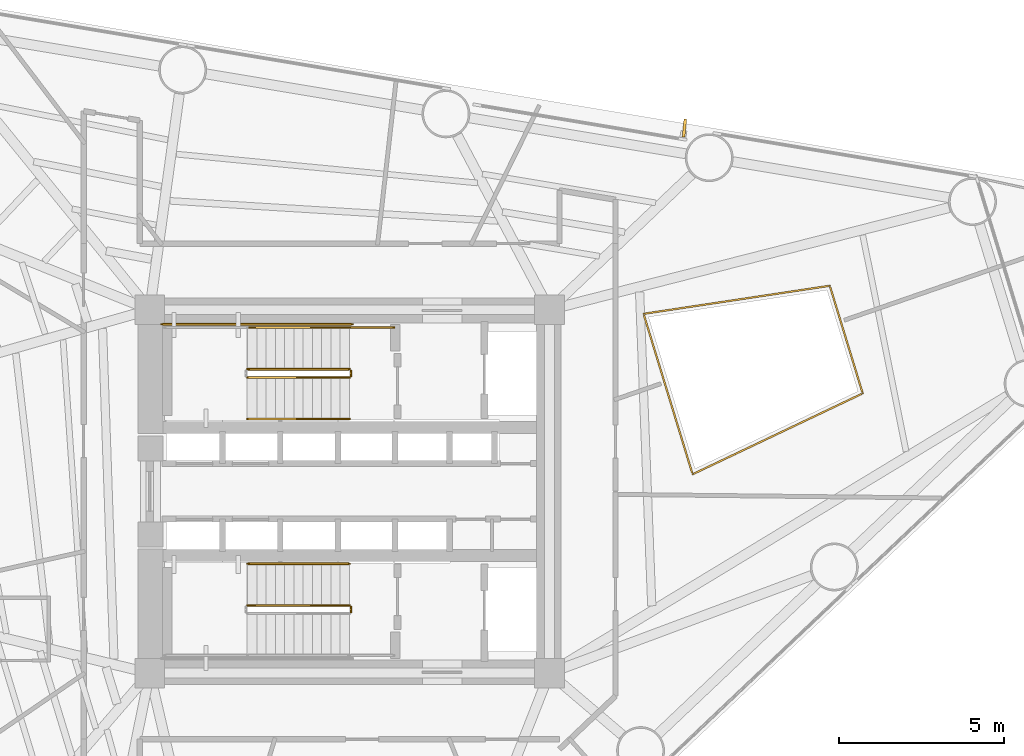
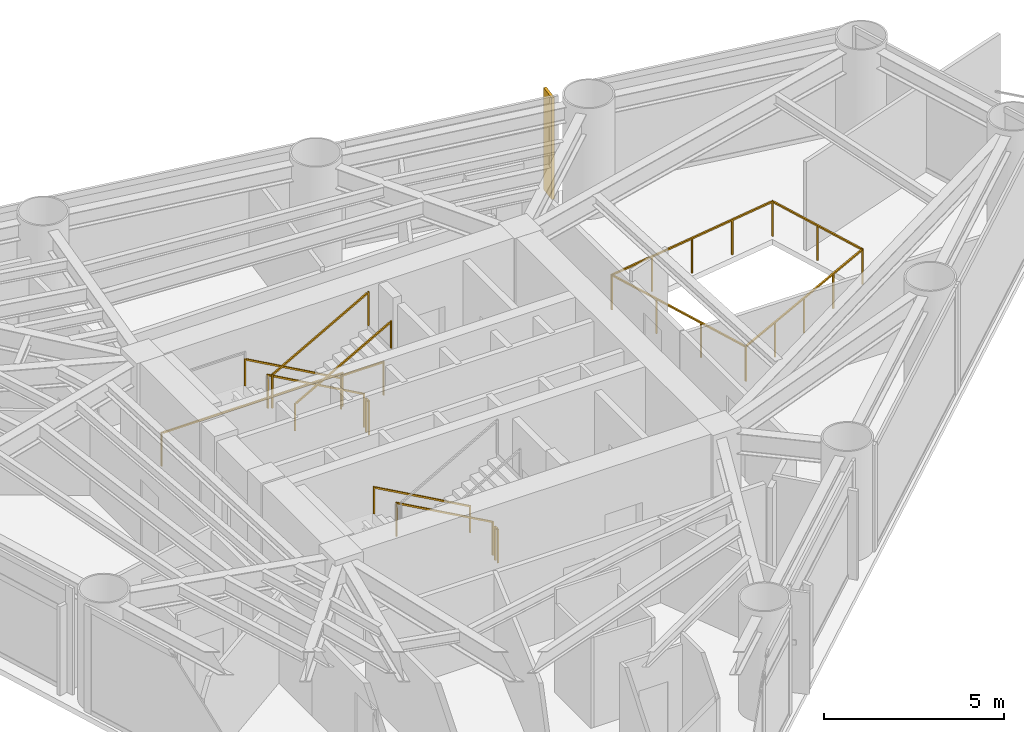
# One storey, part 9 of 10: 11 railings, 1 shading device.
"""IFC4 building model written with IfcOpenShell, lengths in metres."""

from ifc_helpers import new_model, si_unit, direction, frame, origin, origin_2d, place, context, subcontext, project, spatial, rectangle, extrude, source, transform, mapped, material, material_profile, profile_set, type_object, element, save


model = new_model("IFC4")

# Units and contexts
model_context = context("Model", 3, precision=1e-05, world=origin(), true_north=direction((0.0, 1.0)))
body_context = subcontext(model_context, "Body", "Model", "MODEL_VIEW")
ifc_project = project(units=[si_unit("LENGTHUNIT", "METRE"), si_unit("AREAUNIT", "SQUARE_METRE"), si_unit("VOLUMEUNIT", "CUBIC_METRE"), si_unit("PLANEANGLEUNIT", "RADIAN"), si_unit("MASSUNIT", "GRAM", prefix="KILO")], contexts=[model_context])

# Site, building, storey
site_placement = place(None, origin())
site = spatial("IfcSite", under=ifc_project, at=site_placement, CompositionType="ELEMENT")
building_placement = place(site_placement, origin())
building = spatial("IfcBuilding", under=site, at=building_placement, Name="Yunling Apex Tower", CompositionType="ELEMENT")
storey_placement = place(building_placement, frame((0.0, 0.0, 97.39990234375)))
storey = spatial("IfcBuildingStorey", under=building, at=storey_placement, Name="L24", CompositionType="ELEMENT", Elevation=97.39990234375)

# Railings
ifc_material_1 = material(Name="Bronze anodised aluminium", Category="aluminium")
railing_type_1 = type_object("IfcRailingType", Name="RL-BAL-1200", PredefinedType="BALUSTRADE", material=ifc_material_1)
railing_1_placement = place(storey_placement, frame((8.897216796875, 5.375244140625, 0.0)))
element("IfcRailing", 1, at=railing_1_placement, inside=storey, type_object=railing_type_1, Name="RL-TATR-L24", PredefinedType="BALUSTRADE", context=body_context, shape_type="SweptSolid", body=[
    extrude(rectangle(XDim=0.0439453125, YDim=0.0439453125, at=origin_2d()), origin(), (0.0, 0.0, 1.0), 1.199951171875),
    extrude(rectangle(XDim=0.0439453125, YDim=0.0439453125, at=origin_2d()), frame((5.637939453125, 0.849853515625, 0.0)), (0.0, 0.0, 1.0), 1.199951171875),
    extrude(rectangle(XDim=0.050048828125, YDim=0.050048828125, at=origin_2d()), frame((0.037841796875, 0.005615234375, 1.1748046875), z_axis=(0.988828994204, 0.149054420336, 0.0), x_axis=(-0.149054420336, 0.988828994204, 0.0)), (0.0, 0.0, 1.0), 5.625),
    extrude(rectangle(XDim=0.0439453125, YDim=0.0439453125, at=origin_2d()), frame((1.409423828125, 0.21240234375, 0.0)), (0.0, 0.0, 1.0), 1.14599609375),
    extrude(rectangle(XDim=0.0439453125, YDim=0.0439453125, at=origin_2d()), frame((2.81884765625, 0.4248046875, 0.0)), (0.0, 0.0, 1.0), 1.14599609375),
    extrude(rectangle(XDim=0.0439453125, YDim=0.0439453125, at=origin_2d()), frame((4.228515625, 0.637451171875, 0.0)), (0.0, 0.0, 1.0), 1.14599609375),
    extrude(rectangle(XDim=0.0439453125, YDim=0.0439453125, at=origin_2d()), frame((6.6337890625, -2.408203125, 0.0)), (0.0, 0.0, 1.0), 1.199951171875),
    extrude(rectangle(XDim=0.050048828125, YDim=0.050048828125, at=origin_2d()), frame((5.649169921875, 0.813232421875, 1.1748046875), z_axis=(0.292307744699, -0.956324308166, 0.0), x_axis=(0.956324308166, 0.292307744699, 0.0)), (0.0, 0.0, 1.0), 3.330078125),
    extrude(rectangle(XDim=0.0439453125, YDim=0.0439453125, at=origin_2d()), frame((6.1357421875, -0.779296875, 0.0)), (0.0, 0.0, 1.0), 1.14599609375),
    extrude(rectangle(XDim=0.0439453125, YDim=0.0439453125, at=origin_2d()), frame((1.484619140625, -4.856201171875, 0.0)), (0.0, 0.0, 1.0), 1.199951171875),
    extrude(rectangle(XDim=0.050048828125, YDim=0.050048828125, at=origin_2d()), frame((6.59912109375, -2.424560546875, 1.1748046875), z_axis=(-0.903131826937, -0.429363369622, 0.0), x_axis=(0.429363369622, -0.903131826937, 0.0)), (0.0, 0.0, 1.0), 5.624755859375),
    extrude(rectangle(XDim=0.0439453125, YDim=0.0439453125, at=origin_2d()), frame((5.346435546875, -3.020263671875, 0.0)), (0.0, 0.0, 1.0), 1.14599609375),
    extrude(rectangle(XDim=0.0439453125, YDim=0.0439453125, at=origin_2d()), frame((4.05908203125, -3.63232421875, 0.0)), (0.0, 0.0, 1.0), 1.14599609375),
    extrude(rectangle(XDim=0.0439453125, YDim=0.0439453125, at=origin_2d()), frame((2.77197265625, -4.244140625, 0.0)), (0.0, 0.0, 1.0), 1.14599609375),
    extrude(rectangle(XDim=0.050048828125, YDim=0.050048828125, at=origin_2d()), frame((1.473388671875, -4.819580078125, 1.1748046875), z_axis=(-0.292358998686, 0.956308640496, 0.0), x_axis=(-0.956308640496, -0.292358998686, 0.0)), (0.0, 0.0, 1.0), 5.00146484375),
    extrude(rectangle(XDim=0.0439453125, YDim=0.0439453125, at=origin_2d()), frame((0.98974609375, -3.237548828125, 0.0)), (0.0, 0.0, 1.0), 1.14599609375),
    extrude(rectangle(XDim=0.0439453125, YDim=0.0439453125, at=origin_2d()), frame((0.494873046875, -1.61865234375, 0.0)), (0.0, 0.0, 1.0), 1.14599609375),
])
ifc_material_2 = material(Name="Steel Q355B", Category="steel")
railing_type_2 = type_object("IfcRailingType", Name="RL-GRD-1150", PredefinedType="GUARDRAIL", material=ifc_material_2)
railing_2_placement = place(storey_placement, frame((-0.010009765625, 3.699951171875, 0.15625)))
element("IfcRailing", 2, at=railing_2_placement, inside=storey, type_object=railing_type_2, Name="L24 ST-1 stair guard 1", PredefinedType="GUARDRAIL", context=body_context, shape_type="SweptSolid", body=[
    extrude(rectangle(XDim=0.0439453125, YDim=0.0439453125, at=origin_2d()), origin(), (0.0, 0.0, 1.0), 1.14990234375),
    extrude(rectangle(XDim=0.0439453125, YDim=0.0439453125, at=origin_2d()), frame((-3.080078125, 0.0, 1.71875)), (0.0, 0.0, 1.0), 1.14990234375),
    extrude(rectangle(XDim=0.050048828125, YDim=0.050048828125, at=origin_2d()), frame((-0.033447265625, 0.0, 1.1435546875), z_axis=(-0.873241540666, 0.0, 0.487287606713), x_axis=(0.0, -1.0, 0.0)), (0.0, 0.0, 1.0), 3.450439453125),
])
railing_3_placement = place(storey_placement, frame((-3.090087890625, 3.449951171875, 2.03125)))
element("IfcRailing", 3, at=railing_3_placement, inside=storey, type_object=railing_type_2, Name="L24 ST-1 stair guard 4", PredefinedType="GUARDRAIL", context=body_context, shape_type="SweptSolid", body=[
    extrude(rectangle(XDim=0.0439453125, YDim=0.0439453125, at=origin_2d()), origin(), (0.0, 0.0, 1.0), 1.14990234375),
    extrude(rectangle(XDim=0.0439453125, YDim=0.0439453125, at=origin_2d()), frame((3.080078125, 0.0, 1.71875)), (0.0, 0.0, 1.0), 1.14990234375),
    extrude(rectangle(XDim=0.050048828125, YDim=0.050048828125, at=origin_2d()), frame((0.033447265625, 0.0, 1.1435546875), z_axis=(0.873241540666, 0.0, 0.487287606713), x_axis=(0.0, 1.0, 0.0)), (0.0, 0.0, 1.0), 3.450439453125),
])
railing_4_placement = place(storey_placement, frame((0.0400390625, 3.64990234375, 0.0)))
element("IfcRailing", 4, at=railing_4_placement, inside=storey, type_object=railing_type_2, Name="L24 ST-1 stair guard 5", PredefinedType="GUARDRAIL", context=body_context, shape_type="SweptSolid", body=[
    extrude(rectangle(XDim=0.0439453125, YDim=0.0439453125, at=origin_2d()), origin(), (0.0, 0.0, 1.0), 1.14990234375),
    extrude(rectangle(XDim=0.0439453125, YDim=0.0439453125, at=origin_2d()), frame((0.0, -0.14990234375, 0.0)), (0.0, 0.0, 1.0), 1.14990234375),
    extrude(rectangle(XDim=0.050048828125, YDim=0.050048828125, at=origin_2d()), frame((0.0, -0.038330078125, 1.125), z_axis=(0.0, -1.0, 0.0), x_axis=(1.0, 0.0, 0.0)), (0.0, 0.0, 1.0), 0.0732421875),
])
railing_5_placement = place(storey_placement, frame((1.35009765625, 4.9599609375, 0.0)))
element("IfcRailing", 5, at=railing_5_placement, inside=storey, type_object=railing_type_2, Name="L24 ST-1 stair guard 6", PredefinedType="GUARDRAIL", context=body_context, shape_type="SweptSolid", body=[
    extrude(rectangle(XDim=0.0439453125, YDim=0.0439453125, at=origin_2d()), origin(), (0.0, 0.0, 1.0), 1.14990234375),
    extrude(rectangle(XDim=0.0439453125, YDim=0.0439453125, at=origin_2d()), frame((-1.360107421875, 0.0, 0.0)), (0.0, 0.0, 1.0), 1.14990234375),
    extrude(rectangle(XDim=0.050048828125, YDim=0.050048828125, at=origin_2d()), frame((-0.038330078125, 0.0, 1.125), z_axis=(-1.0, 0.0, 0.0), x_axis=(0.0, -1.0, 0.0)), (0.0, 0.0, 1.0), 1.283447265625),
])
railing_6_placement = place(storey_placement, frame((0.090087890625, 5.06005859375, 0.0)))
element("IfcRailing", 6, at=railing_6_placement, inside=storey, type_object=railing_type_2, Name="L24 ST-1 stair guard 7", PredefinedType="GUARDRAIL", context=body_context, shape_type="SweptSolid", body=[
    extrude(rectangle(XDim=0.0439453125, YDim=0.0439453125, at=origin_2d()), origin(), (0.0, 0.0, 1.0), 1.14990234375),
    extrude(rectangle(XDim=0.0439453125, YDim=0.0439453125, at=origin_2d()), frame((-5.7900390625, 0.0, 0.0)), (0.0, 0.0, 1.0), 1.14990234375),
    extrude(rectangle(XDim=0.050048828125, YDim=0.050048828125, at=origin_2d()), frame((-0.038330078125, 0.0, 1.125), z_axis=(-1.0, 0.0, 0.0), x_axis=(0.0, -1.0, 0.0)), (0.0, 0.0, 1.0), 5.71337890625),
])
railing_7_placement = place(storey_placement, frame((-0.010009765625, -3.449951171875, 0.15625)))
element("IfcRailing", 7, at=railing_7_placement, inside=storey, type_object=railing_type_2, Name="L24 ST-2 stair guard 1", PredefinedType="GUARDRAIL", context=body_context, shape_type="SweptSolid", body=[
    extrude(rectangle(XDim=0.0439453125, YDim=0.0439453125, at=origin_2d()), origin(), (0.0, 0.0, 1.0), 1.14990234375),
    extrude(rectangle(XDim=0.0439453125, YDim=0.0439453125, at=origin_2d()), frame((-3.080078125, 0.0, 1.71875)), (0.0, 0.0, 1.0), 1.14990234375),
    extrude(rectangle(XDim=0.050048828125, YDim=0.050048828125, at=origin_2d()), frame((-0.033447265625, 0.0, 1.1435546875), z_axis=(-0.873241540666, 0.0, 0.487287606713), x_axis=(0.0, -1.0, 0.0)), (0.0, 0.0, 1.0), 3.450439453125),
])
railing_8_placement = place(storey_placement, frame((0.0400390625, -3.5, 0.0)))
element("IfcRailing", 8, at=railing_8_placement, inside=storey, type_object=railing_type_2, Name="L24 ST-2 stair guard 5", PredefinedType="GUARDRAIL", context=body_context, shape_type="SweptSolid", body=[
    extrude(rectangle(XDim=0.0439453125, YDim=0.0439453125, at=origin_2d()), origin(), (0.0, 0.0, 1.0), 1.14990234375),
    extrude(rectangle(XDim=0.0439453125, YDim=0.0439453125, at=origin_2d()), frame((0.0, -0.14990234375, 0.0)), (0.0, 0.0, 1.0), 1.14990234375),
    extrude(rectangle(XDim=0.050048828125, YDim=0.050048828125, at=origin_2d()), frame((0.0, -0.038330078125, 1.125), z_axis=(0.0, -1.0, 0.0), x_axis=(1.0, 0.0, 0.0)), (0.0, 0.0, 1.0), 0.0732421875),
])
ifc_material_3 = material(Name="Silver anodised aluminium", Category="aluminium")
railing_type_3 = type_object("IfcRailingType", Name="RL-HND-900", PredefinedType="HANDRAIL", material=ifc_material_3)
railing_9_placement = place(storey_placement, frame((-0.010009765625, 4.9599609375, 0.15625)))
element("IfcRailing", 9, at=railing_9_placement, inside=storey, type_object=railing_type_3, Name="L24 ST-1 stair handrail 1", PredefinedType="HANDRAIL", context=body_context, shape_type="SweptSolid", body=[
    extrude(rectangle(XDim=0.0439453125, YDim=0.0439453125, at=origin_2d()), origin(), (0.0, 0.0, 1.0), 0.919921875),
    extrude(rectangle(XDim=0.0439453125, YDim=0.0439453125, at=origin_2d()), frame((-3.080078125, 0.0, 1.71875)), (0.0, 0.0, 1.0), 0.919921875),
    extrude(rectangle(XDim=0.050048828125, YDim=0.050048828125, at=origin_2d()), frame((-0.033447265625, 0.0, 0.91357421875), z_axis=(-0.873241540666, 0.0, 0.487287606713), x_axis=(0.0, -1.0, 0.0)), (0.0, 0.0, 1.0), 3.450439453125),
])
railing_10_placement = place(storey_placement, frame((-3.090087890625, 2.18994140625, 2.03125)))
element("IfcRailing", 10, at=railing_10_placement, inside=storey, type_object=railing_type_3, Name="L24 ST-1 stair handrail 2", PredefinedType="HANDRAIL", context=body_context, shape_type="SweptSolid", body=[
    extrude(rectangle(XDim=0.0439453125, YDim=0.0439453125, at=origin_2d()), origin(), (0.0, 0.0, 1.0), 0.919921875),
    extrude(rectangle(XDim=0.0439453125, YDim=0.0439453125, at=origin_2d()), frame((3.080078125, 0.0, 1.71875)), (0.0, 0.0, 1.0), 0.919921875),
    extrude(rectangle(XDim=0.050048828125, YDim=0.050048828125, at=origin_2d()), frame((0.033447265625, 0.0, 0.91357421875), z_axis=(0.873241540666, 0.0, 0.487287606713), x_axis=(0.0, 1.0, 0.0)), (0.0, 0.0, 1.0), 3.450439453125),
])
railing_11_placement = place(storey_placement, frame((-0.010009765625, -2.18994140625, 0.15625)))
element("IfcRailing", 11, at=railing_11_placement, inside=storey, type_object=railing_type_3, Name="L24 ST-2 stair handrail 1", PredefinedType="HANDRAIL", context=body_context, shape_type="SweptSolid", body=[
    extrude(rectangle(XDim=0.0439453125, YDim=0.0439453125, at=origin_2d()), origin(), (0.0, 0.0, 1.0), 0.919921875),
    extrude(rectangle(XDim=0.0439453125, YDim=0.0439453125, at=origin_2d()), frame((-3.080078125, 0.0, 1.71875)), (0.0, 0.0, 1.0), 0.919921875),
    extrude(rectangle(XDim=0.050048828125, YDim=0.050048828125, at=origin_2d()), frame((-0.033447265625, 0.0, 0.91357421875), z_axis=(-0.873241540666, 0.0, 0.487287606713), x_axis=(0.0, -1.0, 0.0)), (0.0, 0.0, 1.0), 3.450439453125),
])

# Shading device
ifc_material_profile = material_profile(ifc_material_1, rectangle(XDim=0.0849609375, YDim=0.550048828125, at=origin_2d()))
ifc_profile_set = profile_set([ifc_material_profile], Name="Bronze anodised aluminium")
shading_device_type = type_object("IfcShadingDeviceType", Name="FN-BRZ-3", PredefinedType="USERDEFINED", material=ifc_profile_set)
shared_shape = source(origin(), body_context, "Body", "SweptSolid", [
    extrude(rectangle(XDim=0.0849609375, YDim=0.550048828125, at=origin_2d()), origin(), (0.0, 0.0, 1.0), 3.445068359375),
])
shading_device_placement = place(storey_placement, frame((10.135498046875, 11.00146484375, 0.06005859375), z_axis=(0.0, 0.0, 1.0), x_axis=(-0.995038220239, 0.099493418189, 0.0)))
element("IfcShadingDevice", 12, at=shading_device_placement, inside=storey, type_object=shading_device_type, Name="CW-L24-F2-B2-FIN-01", ObjectType="FIN", PredefinedType="USERDEFINED", context=body_context, shape_type="MappedRepresentation", body=[
    mapped(shared_shape, transform((0.0, 0.0, 0.0), scale=1.0)),
])

save(model, "model.ifc")
